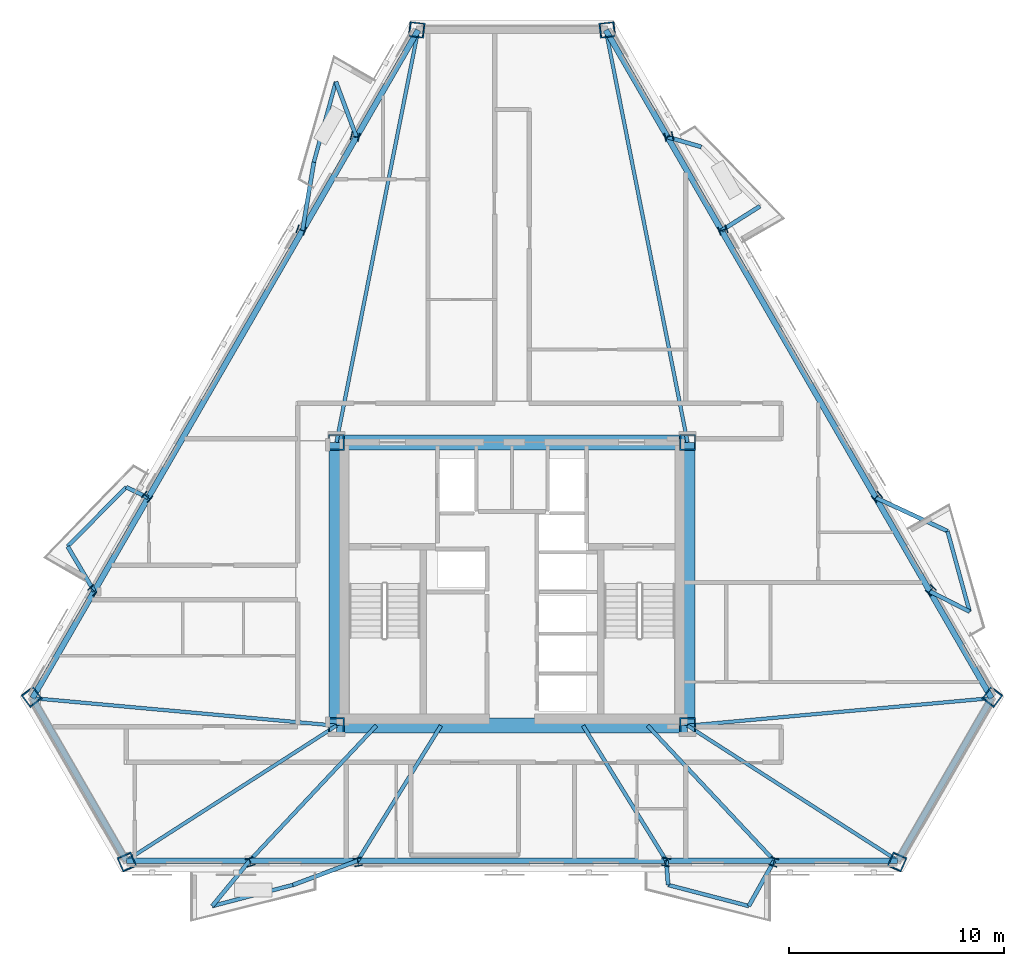
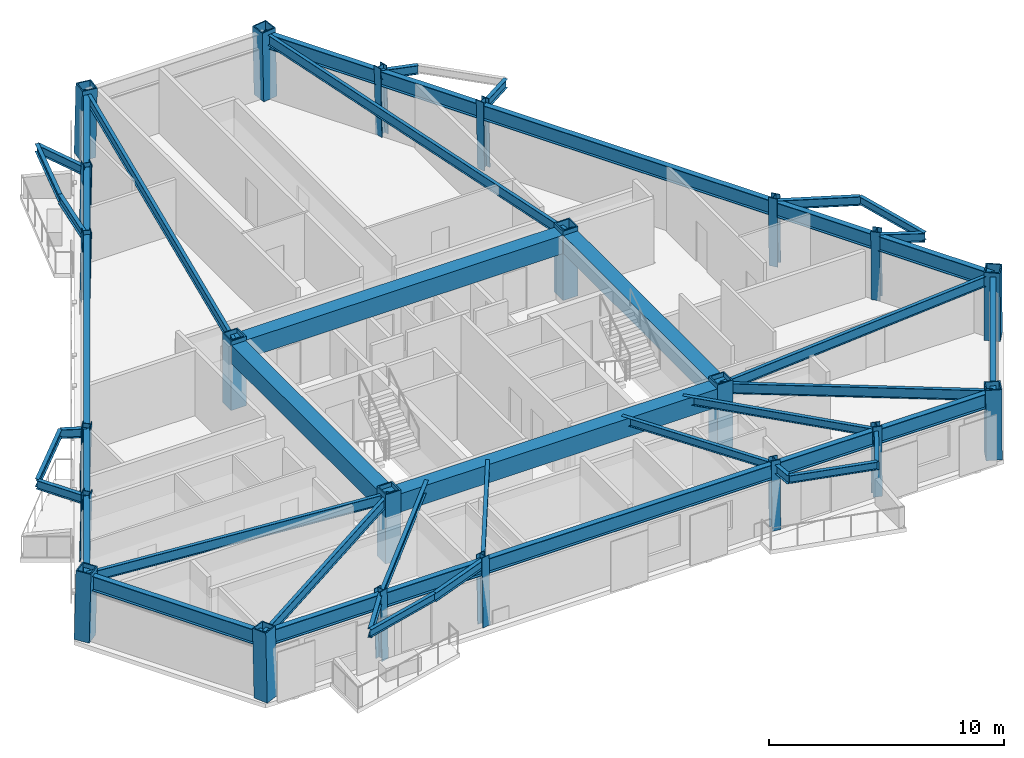
# One storey, part 1 of 9: 48 beams, 22 columns.
"""IFC4 building model written with IfcOpenShell, lengths in metres."""

from ifc_helpers import new_model, si_unit, direction, frame, origin, origin_2d, place, context, subcontext, project, spatial, rectangle, hollow_rectangle, i_section, extrude, material, material_profile, profile_set, type_object, element, save


model = new_model("IFC4")

# Units and contexts
model_context = context("Model", 3, precision=1e-05, world=origin(), true_north=direction((0.0, 1.0)))
body_context = subcontext(model_context, "Body", "Model", "MODEL_VIEW")
ifc_project = project(units=[si_unit("LENGTHUNIT", "METRE"), si_unit("AREAUNIT", "SQUARE_METRE"), si_unit("VOLUMEUNIT", "CUBIC_METRE"), si_unit("PLANEANGLEUNIT", "RADIAN"), si_unit("MASSUNIT", "GRAM", prefix="KILO")], contexts=[model_context])

# Site, building, storey
site_placement = place(None, origin())
site = spatial("IfcSite", under=ifc_project, at=site_placement, CompositionType="ELEMENT")
building_placement = place(site_placement, origin())
building = spatial("IfcBuilding", under=site, at=building_placement, Name="Oramaril Tower", CompositionType="ELEMENT")
storey_placement = place(building_placement, frame((0.0, 0.0, 163.800048828125)))
storey = spatial("IfcBuildingStorey", under=building, at=storey_placement, Name="L43", CompositionType="ELEMENT", Elevation=163.800048828125)

# Columns
ifc_material_1 = material(Name="Steel ASTM A572 Gr 50", Category="steel")
ifc_material_profile_1 = material_profile(ifc_material_1, hollow_rectangle(XDim=0.75, YDim=0.75, WallThickness=0.06005859375, at=origin_2d()), Name="BOX750X750X60")
ifc_profile_set_1 = profile_set([ifc_material_profile_1], Name="Steel ASTM A572 Gr 50")
column_type_1 = type_object("IfcColumnType", Name="CT-CC4", PredefinedType="COLUMN", material=ifc_profile_set_1)
for number, where, z_axis, x_axis, name in (
    (1, (29.35009765625, 11.0, 0.0), (0.0, 0.0, 1.0), (1.0, 0.0, 0.0), "L43 Core Column CC-1"),
    (2, (45.64990234375, 11.0, 0.0), (0.0, 0.0, 1.0), (1.0, 0.0, 0.0), "L43 Core Column CC-2"),
    (3, (45.64990234375, 24.14990234375, 0.0), (0.0, 0.0, 1.0), (1.0, 0.0, 0.0), "L43 Core Column CC-3"),
    (4, (29.35009765625, 24.14990234375, 0.0), (0.0, 0.0, 1.0), (1.0, 0.0, 0.0), "L43 Core Column CC-4"),
):
    element("IfcColumn", number, at=place(storey_placement, frame(where, z_axis=z_axis, x_axis=x_axis)), inside=storey, type_object=column_type_1, Name=name, PredefinedType="COLUMN", context=body_context, shape_type="SweptSolid", body=[
        extrude(hollow_rectangle(XDim=0.75, YDim=0.75, WallThickness=0.06005859375, at=origin_2d()), origin(), (0.0, 0.0, 1.0), 3.599853515625),
    ])
ifc_material_2 = material(Name="Steel ASTM A572 Gr 50", Category="steel")
ifc_material_profile_2 = material_profile(ifc_material_2, hollow_rectangle(XDim=0.699951171875, YDim=0.699951171875, WallThickness=0.054931640625, at=origin_2d()), Name="BOX700X700X55")
ifc_profile_set_2 = profile_set([ifc_material_profile_2], Name="Steel ASTM A572 Gr 50")
column_type_2 = type_object("IfcColumnType", Name="CT-TC4", PredefinedType="COLUMN", material=ifc_profile_set_2)
for number, where, z_axis, x_axis, name in (
    (5, (15.19580078125, 12.343994140625, 0.00439453125), (0.013525666059, -0.018147501697, 0.999743829458), (0.801798186491, 0.59759490304, 0.0), "L43 Tube Column TC-01"),
    (6, (19.631103515625, 4.662109375, 0.00439453125), (-0.009039770438, 0.020730300629, 0.999744235885), (-0.916639500994, -0.399714929941, 0.0), "L43 Tube Column TC-02"),
    (7, (55.368896484375, 4.662109375, 0.00439453125), (0.009039770438, 0.020730300629, 0.999744235885), (-0.916639500994, 0.399714929941, 0.0), "L43 Tube Column TC-03"),
    (8, (59.80419921875, 12.343994140625, 0.00439453125), (-0.013525666059, -0.018147501697, 0.999743829458), (0.801798186491, -0.59759490304, 0.0), "L43 Tube Column TC-04"),
    (9, (41.935302734375, 43.2939453125, 0.00439453125), (-0.022497458675, -0.002582789818, 0.999743563895), (0.11405447402, -0.993474497386, 0.0), "L43 Tube Column TC-05"),
    (10, (33.064697265625, 43.2939453125, 0.00439453125), (0.022497458675, -0.002582789818, 0.999743563895), (0.11405447402, 0.993474497386, 0.0), "L43 Tube Column TC-06"),
):
    element("IfcColumn", number, at=place(storey_placement, frame(where, z_axis=z_axis, x_axis=x_axis)), inside=storey, type_object=column_type_2, Name=name, PredefinedType="COLUMN", context=body_context, shape_type="SweptSolid", body=[
        extrude(hollow_rectangle(XDim=0.699951171875, YDim=0.699951171875, WallThickness=0.054931640625, at=origin_2d()), origin(), (0.0, 0.0, 1.0), 3.592041015625),
    ])
ifc_material_3 = material(Name="Steel ASTM A572 Gr 50", Category="steel")
ifc_material_profile_3 = material_profile(ifc_material_3, i_section(OverallWidth=0.39892578125, OverallDepth=0.385986328125, WebThickness=0.02099609375, FlangeThickness=0.033203125, at=origin_2d()), Name="W14X176")
ifc_profile_set_3 = profile_set([ifc_material_profile_3], Name="Steel ASTM A572 Gr 50")
column_type_3 = type_object("IfcColumnType", Name="CT-TF4", PredefinedType="COLUMN", material=ifc_profile_set_3)
for number, where, z_axis, x_axis, name in (
    (11, (25.34912109375, 4.662109375, 0.00439453125), (-0.006117273384, 0.0207307598, 0.999766379993), (-0.959114754596, -0.283017468569, 0.0), "L43 Tube Column TC-07"),
    (12, (30.352294921875, 4.662109375, 0.00439453125), (-0.003534468677, 0.020731018202, 0.999778841752), (-0.985775631718, -0.16806666508, 0.0), "L43 Tube Column TC-08"),
    (13, (44.647705078125, 4.662109375, 0.00439453125), (0.003534468677, 0.020731018202, 0.999778841752), (-0.985775631718, 0.16806666508, 0.0), "L43 Tube Column TC-09"),
    (14, (49.65087890625, 4.662109375, 0.00439453125), (0.006117273384, 0.0207307598, 0.999766379993), (-0.959114754596, 0.283017468569, 0.0), "L43 Tube Column TC-10"),
    (15, (56.9453125, 17.2958984375, 0.00439453125), (-0.014953328893, -0.015633025661, 0.999765975848), (0.722641857148, -0.691222645967, 0.0), "L43 Tube Column TC-11"),
    (16, (54.443603515625, 21.62890625, 0.00439453125), (-0.016244939439, -0.013458150665, 0.999777465301), (0.637963278788, -0.770066786012, 0.0), "L43 Tube Column TC-12"),
    (17, (47.2958984375, 34.009033203125, 0.00439453125), (-0.019779412159, -0.007272842272, 0.999777915649), (0.345107427602, -0.938563190954, 0.0), "L43 Tube Column TC-13"),
    (18, (44.794189453125, 38.342041015625, 0.00439453125), (-0.021070579118, -0.005097720754, 0.999764994356), (0.235151316301, -0.971958774044, 0.0), "L43 Tube Column TC-14"),
    (19, (30.205810546875, 38.342041015625, 0.00439453125), (0.021070579118, -0.005097720754, 0.999764994356), (0.235151316301, 0.971958774044, 0.0), "L43 Tube Column TC-15"),
    (20, (27.7041015625, 34.009033203125, 0.00439453125), (0.019779412159, -0.007272842272, 0.999777915649), (0.345107427602, 0.938563190954, 0.0), "L43 Tube Column TC-16"),
    (21, (20.556396484375, 21.62890625, 0.00439453125), (0.016244939439, -0.013458150665, 0.999777465301), (0.637963278788, 0.770066786012, 0.0), "L43 Tube Column TC-17"),
    (22, (18.0546875, 17.2958984375, 0.00439453125), (0.014953328893, -0.015633025661, 0.999765975848), (0.722641857148, 0.691222645967, 0.0), "L43 Tube Column TC-18"),
):
    element("IfcColumn", number, at=place(storey_placement, frame(where, z_axis=z_axis, x_axis=x_axis)), inside=storey, type_object=column_type_3, Name=name, PredefinedType="COLUMN", context=body_context, shape_type="SweptSolid", body=[
        extrude(i_section(OverallWidth=0.39892578125, OverallDepth=0.385986328125, WebThickness=0.02099609375, FlangeThickness=0.033203125, at=origin_2d()), origin(), (0.0, 0.0, 1.0), 3.591796875),
    ])

# Beams
ifc_material_4 = material(Name="Steel ASTM A572 Gr 50", Category="steel")
ifc_material_profile_4 = material_profile(ifc_material_4, i_section(OverallWidth=0.19091796875, OverallDepth=0.45703125, WebThickness=0.009033203125, FlangeThickness=0.014404296875, at=origin_2d()), Name="W18X50")
ifc_profile_set_4 = profile_set([ifc_material_profile_4], Name="Steel ASTM A572 Gr 50")
beam_type_1 = type_object("IfcBeamType", Name="BT-BB1", PredefinedType="BEAM", material=ifc_profile_set_4)
beam_1_placement = place(storey_placement, frame((25.3271484375, 4.736572265625, 3.1513671875), z_axis=(-0.636805287211, -0.771024659904, 0.0), x_axis=(0.771024659904, -0.636805287211, 0.0)))
element("IfcBeam", 23, at=beam_1_placement, inside=storey, type_object=beam_type_1, Name="L43 Balcony Column-Framed Cantilever 01.1", PredefinedType="BEAM", context=body_context, shape_type="SweptSolid", body=[
    extrude(i_section(OverallWidth=0.19091796875, OverallDepth=0.45703125, WebThickness=0.009033203125, FlangeThickness=0.014404296875, at=origin_2d()), origin(), (0.0, 0.0, 1.0), 2.73388671875),
])
beam_2_placement = place(storey_placement, frame((30.339599609375, 4.736572265625, 3.1513671875), z_axis=(-0.936394718276, -0.35094861673, 0.0), x_axis=(0.35094861673, -0.936394718276, 0.0)))
element("IfcBeam", 24, at=beam_2_placement, inside=storey, type_object=beam_type_1, Name="L43 Balcony Column-Framed Cantilever 01.2", PredefinedType="BEAM", context=body_context, shape_type="SweptSolid", body=[
    extrude(i_section(OverallWidth=0.19091796875, OverallDepth=0.45703125, WebThickness=0.009033203125, FlangeThickness=0.014404296875, at=origin_2d()), origin(), (0.0, 0.0, 1.0), 3.2138671875),
])
beam_3_placement = place(storey_placement, frame((44.660400390625, 4.736572265625, 3.1513671875), z_axis=(0.074682628605, -0.997207353054, 0.0), x_axis=(0.997207353054, 0.074682628605, 0.0)))
element("IfcBeam", 25, at=beam_3_placement, inside=storey, type_object=beam_type_1, Name="L43 Balcony Column-Framed Cantilever 02.1", PredefinedType="BEAM", context=body_context, shape_type="SweptSolid", body=[
    extrude(i_section(OverallWidth=0.19091796875, OverallDepth=0.45703125, WebThickness=0.009033203125, FlangeThickness=0.014404296875, at=origin_2d()), origin(), (0.0, 0.0, 1.0), 1.131103515625),
])
beam_4_placement = place(storey_placement, frame((49.6728515625, 4.736572265625, 3.1513671875), z_axis=(-0.48967619542, -0.871904366108, 0.0), x_axis=(0.871904366108, -0.48967619542, 0.0)))
element("IfcBeam", 26, at=beam_4_placement, inside=storey, type_object=beam_type_1, Name="L43 Balcony Column-Framed Cantilever 02.2", PredefinedType="BEAM", context=body_context, shape_type="SweptSolid", body=[
    extrude(i_section(OverallWidth=0.19091796875, OverallDepth=0.45703125, WebThickness=0.009033203125, FlangeThickness=0.014404296875, at=origin_2d()), origin(), (0.0, 0.0, 1.0), 2.41748046875),
])
beam_5_placement = place(storey_placement, frame((56.8916015625, 17.23974609375, 3.1513671875), z_axis=(0.890509915489, -0.454963834185, 0.0), x_axis=(0.454963834185, 0.890509915489, 0.0)))
element("IfcBeam", 27, at=beam_5_placement, inside=storey, type_object=beam_type_1, Name="L43 Balcony Column-Framed Cantilever 03.1", PredefinedType="BEAM", context=body_context, shape_type="SweptSolid", body=[
    extrude(i_section(OverallWidth=0.19091796875, OverallDepth=0.45703125, WebThickness=0.009033203125, FlangeThickness=0.014404296875, at=origin_2d()), origin(), (0.0, 0.0, 1.0), 2.074462890625),
])
beam_6_placement = place(storey_placement, frame((54.38525390625, 21.58056640625, 3.1513671875), z_axis=(0.90638164874, -0.422459828655, 0.0), x_axis=(0.422459828655, 0.90638164874, 0.0)))
element("IfcBeam", 28, at=beam_6_placement, inside=storey, type_object=beam_type_1, Name="L43 Balcony Column-Framed Cantilever 03.2", PredefinedType="BEAM", context=body_context, shape_type="SweptSolid", body=[
    extrude(i_section(OverallWidth=0.19091796875, OverallDepth=0.45703125, WebThickness=0.009033203125, FlangeThickness=0.014404296875, at=origin_2d()), origin(), (0.0, 0.0, 1.0), 3.67431640625),
])
beam_7_placement = place(storey_placement, frame((47.224853515625, 33.98291015625, 3.1513671875), z_axis=(0.845367886147, 0.534184553382, 0.0), x_axis=(-0.534184553382, 0.845367886147, 0.0)))
element("IfcBeam", 29, at=beam_7_placement, inside=storey, type_object=beam_type_1, Name="L43 Balcony Column-Framed Cantilever 04.1", PredefinedType="BEAM", context=body_context, shape_type="SweptSolid", body=[
    extrude(i_section(OverallWidth=0.19091796875, OverallDepth=0.45703125, WebThickness=0.009033203125, FlangeThickness=0.014404296875, at=origin_2d()), origin(), (0.0, 0.0, 1.0), 2.109619140625),
])
beam_8_placement = place(storey_placement, frame((44.718505859375, 38.32373046875, 3.1513671875), z_axis=(0.959377385511, -0.282125915453, 0.0), x_axis=(0.282125915453, 0.959377385511, 0.0)))
element("IfcBeam", 30, at=beam_8_placement, inside=storey, type_object=beam_type_1, Name="L43 Balcony Column-Framed Cantilever 04.2", PredefinedType="BEAM", context=body_context, shape_type="SweptSolid", body=[
    extrude(i_section(OverallWidth=0.19091796875, OverallDepth=0.45703125, WebThickness=0.009033203125, FlangeThickness=0.014404296875, at=origin_2d()), origin(), (0.0, 0.0, 1.0), 1.635498046875),
])
beam_9_placement = place(storey_placement, frame((30.281494140625, 38.32373046875, 3.1513671875), z_axis=(-0.349331955652, 0.936999031355, 0.0), x_axis=(-0.936999031355, -0.349331955652, 0.0)))
element("IfcBeam", 31, at=beam_9_placement, inside=storey, type_object=beam_type_1, Name="L43 Balcony Column-Framed Cantilever 05.1", PredefinedType="BEAM", context=body_context, shape_type="SweptSolid", body=[
    extrude(i_section(OverallWidth=0.19091796875, OverallDepth=0.45703125, WebThickness=0.009033203125, FlangeThickness=0.014404296875, at=origin_2d()), origin(), (0.0, 0.0, 1.0), 2.734130859375),
])
beam_10_placement = place(storey_placement, frame((27.775146484375, 33.98291015625, 3.1513671875), z_axis=(0.164238840259, 0.986420601645, 0.0), x_axis=(-0.986420601645, 0.164238840259, 0.0)))
element("IfcBeam", 32, at=beam_10_placement, inside=storey, type_object=beam_type_1, Name="L43 Balcony Column-Framed Cantilever 05.2", PredefinedType="BEAM", context=body_context, shape_type="SweptSolid", body=[
    extrude(i_section(OverallWidth=0.19091796875, OverallDepth=0.45703125, WebThickness=0.009033203125, FlangeThickness=0.014404296875, at=origin_2d()), origin(), (0.0, 0.0, 1.0), 3.2138671875),
])
beam_11_placement = place(storey_placement, frame((20.61474609375, 21.58056640625, 3.1513671875), z_axis=(-0.900892281891, 0.434042735717, 0.0), x_axis=(-0.434042735717, -0.900892281891, 0.0)))
element("IfcBeam", 33, at=beam_11_placement, inside=storey, type_object=beam_type_1, Name="L43 Balcony Column-Framed Cantilever 06.1", PredefinedType="BEAM", context=body_context, shape_type="SweptSolid", body=[
    extrude(i_section(OverallWidth=0.19091796875, OverallDepth=0.45703125, WebThickness=0.009033203125, FlangeThickness=0.014404296875, at=origin_2d()), origin(), (0.0, 0.0, 1.0), 1.131103515625),
])
beam_12_placement = place(storey_placement, frame((18.1083984375, 17.23974609375, 3.1513671875), z_axis=(-0.510167729651, 0.8600749314, 0.0), x_axis=(-0.8600749314, -0.510167729651, 0.0)))
element("IfcBeam", 34, at=beam_12_placement, inside=storey, type_object=beam_type_1, Name="L43 Balcony Column-Framed Cantilever 06.2", PredefinedType="BEAM", context=body_context, shape_type="SweptSolid", body=[
    extrude(i_section(OverallWidth=0.19091796875, OverallDepth=0.45703125, WebThickness=0.009033203125, FlangeThickness=0.014404296875, at=origin_2d()), origin(), (0.0, 0.0, 1.0), 2.417724609375),
])
ifc_material_5 = material(Name="Concrete C50/60", Category="concrete")
ifc_material_profile_5 = material_profile(ifc_material_5, rectangle(XDim=0.699951171875, YDim=0.949951171875, at=origin_2d()), Name="CB700X950")
ifc_profile_set_5 = profile_set([ifc_material_profile_5], Name="Concrete C50/60")
beam_type_2 = type_object("IfcBeamType", Name="BT-CB1", PredefinedType="BEAM", material=ifc_profile_set_5)
beam_13_placement = place(storey_placement, frame((29.35009765625, 11.0, 2.905029296875), z_axis=(1.0, 0.0, 0.0), x_axis=(0.0, 1.0, 0.0)))
element("IfcBeam", 35, at=beam_13_placement, inside=storey, type_object=beam_type_2, Name="L43 Core Header Beam CB-1", PredefinedType="BEAM", context=body_context, shape_type="SweptSolid", body=[
    extrude(rectangle(XDim=0.699951171875, YDim=0.949951171875, at=origin_2d()), origin(), (0.0, 0.0, 1.0), 16.2998046875),
])
beam_14_placement = place(storey_placement, frame((45.64990234375, 11.0, 2.905029296875), z_axis=(0.0, 1.0, 0.0), x_axis=(-1.0, 0.0, 0.0)))
element("IfcBeam", 36, at=beam_14_placement, inside=storey, type_object=beam_type_2, Name="L43 Core Header Beam CB-2", PredefinedType="BEAM", context=body_context, shape_type="SweptSolid", body=[
    extrude(rectangle(XDim=0.699951171875, YDim=0.949951171875, at=origin_2d()), origin(), (0.0, 0.0, 1.0), 13.14990234375),
])
beam_15_placement = place(storey_placement, frame((45.64990234375, 24.14990234375, 2.905029296875), z_axis=(-1.0, 0.0, 0.0), x_axis=(0.0, -1.0, 0.0)))
element("IfcBeam", 37, at=beam_15_placement, inside=storey, type_object=beam_type_2, Name="L43 Core Header Beam CB-3", PredefinedType="BEAM", context=body_context, shape_type="SweptSolid", body=[
    extrude(rectangle(XDim=0.699951171875, YDim=0.949951171875, at=origin_2d()), origin(), (0.0, 0.0, 1.0), 16.2998046875),
])
beam_16_placement = place(storey_placement, frame((29.35009765625, 24.14990234375, 2.905029296875), z_axis=(0.0, -1.0, 0.0), x_axis=(1.0, 0.0, 0.0)))
element("IfcBeam", 38, at=beam_16_placement, inside=storey, type_object=beam_type_2, Name="L43 Core Header Beam CB-4", PredefinedType="BEAM", context=body_context, shape_type="SweptSolid", body=[
    extrude(rectangle(XDim=0.699951171875, YDim=0.949951171875, at=origin_2d()), origin(), (0.0, 0.0, 1.0), 13.14990234375),
])
ifc_material_6 = material(Name="Steel ASTM A572 Gr 50", Category="steel")
ifc_material_profile_6 = material_profile(ifc_material_6, i_section(OverallWidth=0.166015625, OverallDepth=0.528076171875, WebThickness=0.009765625, FlangeThickness=0.013671875, at=origin_2d()), Name="W21X50")
ifc_profile_set_6 = profile_set([ifc_material_profile_6], Name="Steel ASTM A572 Gr 50")
beam_type_3 = type_object("IfcBeamType", Name="BT-FB3", PredefinedType="BEAM", material=ifc_profile_set_6)
beam_17_placement = place(storey_placement, frame((29.35009765625, 11.0, 3.115966796875), z_axis=(-0.995915640728, 0.090288629145, 0.0), x_axis=(-0.090288629145, -0.995915640728, 0.0)))
element("IfcBeam", 39, at=beam_17_placement, inside=storey, type_object=beam_type_3, Name="L43 Radial Primary Beam RB-01", PredefinedType="BEAM", context=body_context, shape_type="SweptSolid", body=[
    extrude(i_section(OverallWidth=0.166015625, OverallDepth=0.528076171875, WebThickness=0.009765625, FlangeThickness=0.013671875, at=origin_2d()), origin(), (0.0, 0.0, 1.0), 14.16357421875),
])
for number, where, z_axis, x_axis, name in (
    (40, (29.35009765625, 11.0, 3.115966796875), (-0.841389216306, -0.540429631574, 0.0), (0.540429631574, -0.841389216306, 0.0), "L43 Radial Primary Beam RB-02"),
    (41, (45.64990234375, 11.0, 3.115966796875), (0.841389216306, -0.540429631574, 0.0), (0.540429631574, 0.841389216306, 0.0), "L43 Radial Primary Beam RB-03"),
):
    element("IfcBeam", number, at=place(storey_placement, frame(where, z_axis=z_axis, x_axis=x_axis)), inside=storey, type_object=beam_type_3, Name=name, PredefinedType="BEAM", context=body_context, shape_type="SweptSolid", body=[
        extrude(i_section(OverallWidth=0.166015625, OverallDepth=0.528076171875, WebThickness=0.009765625, FlangeThickness=0.013671875, at=origin_2d()), origin(), (0.0, 0.0, 1.0), 11.589599609375),
    ])
beam_18_placement = place(storey_placement, frame((45.64990234375, 11.0, 3.115966796875), z_axis=(0.995915640728, 0.090288629145, 0.0), x_axis=(-0.090288629145, 0.995915640728, 0.0)))
element("IfcBeam", 42, at=beam_18_placement, inside=storey, type_object=beam_type_3, Name="L43 Radial Primary Beam RB-04", PredefinedType="BEAM", context=body_context, shape_type="SweptSolid", body=[
    extrude(i_section(OverallWidth=0.166015625, OverallDepth=0.528076171875, WebThickness=0.009765625, FlangeThickness=0.013671875, at=origin_2d()), origin(), (0.0, 0.0, 1.0), 14.16357421875),
])
for number, where, z_axis, x_axis, name in (
    (43, (45.64990234375, 24.14990234375, 3.115966796875), (-0.194561117151, 0.980890397391, 0.0), (-0.980890397391, -0.194561117151, 0.0), "L43 Radial Primary Beam RB-05"),
    (44, (29.35009765625, 24.14990234375, 3.115966796875), (0.194561117151, 0.980890397391, 0.0), (-0.980890397391, 0.194561117151, 0.0), "L43 Radial Primary Beam RB-06"),
):
    element("IfcBeam", number, at=place(storey_placement, frame(where, z_axis=z_axis, x_axis=x_axis)), inside=storey, type_object=beam_type_3, Name=name, PredefinedType="BEAM", context=body_context, shape_type="SweptSolid", body=[
        extrude(i_section(OverallWidth=0.166015625, OverallDepth=0.528076171875, WebThickness=0.009765625, FlangeThickness=0.013671875, at=origin_2d()), origin(), (0.0, 0.0, 1.0), 19.507568359375),
    ])
ifc_material_7 = material(Name="Steel ASTM A572 Gr 50", Category="steel")
ifc_material_profile_7 = material_profile(ifc_material_7, i_section(OverallWidth=0.177978515625, OverallDepth=0.404052734375, WebThickness=0.007568359375, FlangeThickness=0.010986328125, at=origin_2d()), Name="W16X36")
ifc_profile_set_7 = profile_set([ifc_material_profile_7], Name="Steel ASTM A572 Gr 50")
beam_type_4 = type_object("IfcBeamType", Name="BT-SB1", PredefinedType="BEAM", material=ifc_profile_set_7)
beam_19_placement = place(storey_placement, frame((31.199951171875, 11.0, 3.177978515625), z_axis=(-0.683993148776, -0.729488432004, 0.0), x_axis=(0.729488432004, -0.683993148776, 0.0)))
element("IfcBeam", 45, at=beam_19_placement, inside=storey, type_object=beam_type_4, Name="L43 Secondary Floor Beam SB-01", PredefinedType="BEAM", context=body_context, shape_type="SweptSolid", body=[
    extrude(i_section(OverallWidth=0.177978515625, OverallDepth=0.404052734375, WebThickness=0.007568359375, FlangeThickness=0.010986328125, at=origin_2d()), origin(), (0.0, 0.0, 1.0), 8.5859375),
])
for number, where, z_axis, x_axis, name in (
    (46, (34.199951171875, 11.0, 3.177978515625), (-0.524682340114, -0.851298092311, 0.0), (0.851298092311, -0.524682340114, 0.0), "L43 Secondary Floor Beam SB-02"),
    (47, (40.800048828125, 11.0, 3.177978515625), (0.524682340114, -0.851298092311, 0.0), (0.851298092311, 0.524682340114, 0.0), "L43 Secondary Floor Beam SB-03"),
):
    element("IfcBeam", number, at=place(storey_placement, frame(where, z_axis=z_axis, x_axis=x_axis)), inside=storey, type_object=beam_type_4, Name=name, PredefinedType="BEAM", context=body_context, shape_type="SweptSolid", body=[
        extrude(i_section(OverallWidth=0.177978515625, OverallDepth=0.404052734375, WebThickness=0.007568359375, FlangeThickness=0.010986328125, at=origin_2d()), origin(), (0.0, 0.0, 1.0), 7.357421875),
    ])
beam_20_placement = place(storey_placement, frame((43.800048828125, 11.0, 3.177978515625), z_axis=(0.683993148776, -0.729488432004, 0.0), x_axis=(0.729488432004, 0.683993148776, 0.0)))
element("IfcBeam", 48, at=beam_20_placement, inside=storey, type_object=beam_type_4, Name="L43 Secondary Floor Beam SB-04", PredefinedType="BEAM", context=body_context, shape_type="SweptSolid", body=[
    extrude(i_section(OverallWidth=0.177978515625, OverallDepth=0.404052734375, WebThickness=0.007568359375, FlangeThickness=0.010986328125, at=origin_2d()), origin(), (0.0, 0.0, 1.0), 8.5859375),
])
beam_21_placement = place(storey_placement, frame((23.586181640625, 2.628662109375, 3.177978515625), z_axis=(0.967407922874, 0.253223045479, 0.0), x_axis=(-0.253223045479, 0.967407922874, 0.0)))
element("IfcBeam", 49, at=beam_21_placement, inside=storey, type_object=beam_type_4, Name="L43 Balcony Edge Tie Beam 01", PredefinedType="BEAM", context=body_context, shape_type="SweptSolid", body=[
    extrude(i_section(OverallWidth=0.177978515625, OverallDepth=0.404052734375, WebThickness=0.007568359375, FlangeThickness=0.010986328125, at=origin_2d()), origin(), (0.0, 0.0, 1.0), 3.8701171875),
])
beam_22_placement = place(storey_placement, frame((44.744873046875, 3.608642578125, 3.177978515625), z_axis=(0.967411967632, -0.253207592467, 0.0), x_axis=(0.253207592467, 0.967411967632, 0.0)))
element("IfcBeam", 50, at=beam_22_placement, inside=storey, type_object=beam_type_4, Name="L43 Balcony Edge Tie Beam 02", PredefinedType="BEAM", context=body_context, shape_type="SweptSolid", body=[
    extrude(i_section(OverallWidth=0.177978515625, OverallDepth=0.404052734375, WebThickness=0.007568359375, FlangeThickness=0.010986328125, at=origin_2d()), origin(), (0.0, 0.0, 1.0), 3.870361328125),
])
for number, where, z_axis, x_axis, name in (
    (51, (58.739013671875, 16.2958984375, 3.177978515625), (-0.264440915482, 0.964401888332, 0.0), (-0.964401888332, -0.264440915482, 0.0), "L43 Balcony Edge Tie Beam 03"),
    (52, (29.326416015625, 40.885498046875, 3.177978515625), (-0.264440915482, -0.964401888332, 0.0), (0.964401888332, -0.264440915482, 0.0), "L43 Balcony Edge Tie Beam 05"),
    (53, (19.595703125, 22.071533203125, 3.177978515625), (-0.702994511648, -0.71119527318, 0.0), (0.71119527318, -0.702994511648, 0.0), "L43 Balcony Edge Tie Beam 06"),
):
    element("IfcBeam", number, at=place(storey_placement, frame(where, z_axis=z_axis, x_axis=x_axis)), inside=storey, type_object=beam_type_4, Name=name, PredefinedType="BEAM", context=body_context, shape_type="SweptSolid", body=[
        extrude(i_section(OverallWidth=0.177978515625, OverallDepth=0.404052734375, WebThickness=0.007568359375, FlangeThickness=0.010986328125, at=origin_2d()), origin(), (0.0, 0.0, 1.0), 3.8701171875),
    ])
ifc_material_8 = material(Name="Steel ASTM A572 Gr 50", Category="steel")
ifc_material_profile_8 = material_profile(ifc_material_8, i_section(OverallWidth=0.26708984375, OverallDepth=0.77001953125, WebThickness=0.015625, FlangeThickness=0.025390625, at=origin_2d()), Name="W30X132")
ifc_profile_set_8 = profile_set([ifc_material_profile_8], Name="Steel ASTM A572 Gr 50")
beam_type_5 = type_object("IfcBeamType", Name="BT-SP3", PredefinedType="SPANDREL", material=ifc_profile_set_8)
beam_23_placement = place(storey_placement, frame((15.244384765625, 12.27880859375, 2.994873046875), z_axis=(0.499977253468, -0.866038536102, 0.0), x_axis=(0.866038536102, 0.499977253468, 0.0)))
element("IfcBeam", 54, at=beam_23_placement, inside=storey, type_object=beam_type_5, Name="L43 Perimeter Spandrel 01", PredefinedType="SPANDREL", context=body_context, shape_type="SweptSolid", body=[
    extrude(i_section(OverallWidth=0.26708984375, OverallDepth=0.77001953125, WebThickness=0.015625, FlangeThickness=0.025390625, at=origin_2d()), origin(), (0.0, 0.0, 1.0), 8.708984375),
])
beam_24_placement = place(storey_placement, frame((19.5986328125, 4.736572265625, 2.994873046875), z_axis=(1.0, 0.0, 0.0), x_axis=(0.0, 1.0, 0.0)))
element("IfcBeam", 55, at=beam_24_placement, inside=storey, type_object=beam_type_5, Name="L43 Perimeter Spandrel 02", PredefinedType="SPANDREL", context=body_context, shape_type="SweptSolid", body=[
    extrude(i_section(OverallWidth=0.26708984375, OverallDepth=0.77001953125, WebThickness=0.015625, FlangeThickness=0.025390625, at=origin_2d()), origin(), (0.0, 0.0, 1.0), 5.728515625),
])
beam_25_placement = place(storey_placement, frame((25.3271484375, 4.736572265625, 2.994873046875), z_axis=(1.0, 0.0, 0.0), x_axis=(0.0, 1.0, 0.0)))
element("IfcBeam", 56, at=beam_25_placement, inside=storey, type_object=beam_type_5, Name="L43 Perimeter Spandrel 03", PredefinedType="SPANDREL", context=body_context, shape_type="SweptSolid", body=[
    extrude(i_section(OverallWidth=0.26708984375, OverallDepth=0.77001953125, WebThickness=0.015625, FlangeThickness=0.025390625, at=origin_2d()), origin(), (0.0, 0.0, 1.0), 5.012451171875),
])
beam_26_placement = place(storey_placement, frame((30.339599609375, 4.736572265625, 2.994873046875), z_axis=(1.0, 0.0, 0.0), x_axis=(0.0, 1.0, 0.0)))
element("IfcBeam", 57, at=beam_26_placement, inside=storey, type_object=beam_type_5, Name="L43 Perimeter Spandrel 04", PredefinedType="SPANDREL", context=body_context, shape_type="SweptSolid", body=[
    extrude(i_section(OverallWidth=0.26708984375, OverallDepth=0.77001953125, WebThickness=0.015625, FlangeThickness=0.025390625, at=origin_2d()), origin(), (0.0, 0.0, 1.0), 14.32080078125),
])
beam_27_placement = place(storey_placement, frame((44.660400390625, 4.736572265625, 2.994873046875), z_axis=(1.0, 0.0, 0.0), x_axis=(0.0, 1.0, 0.0)))
element("IfcBeam", 58, at=beam_27_placement, inside=storey, type_object=beam_type_5, Name="L43 Perimeter Spandrel 05", PredefinedType="SPANDREL", context=body_context, shape_type="SweptSolid", body=[
    extrude(i_section(OverallWidth=0.26708984375, OverallDepth=0.77001953125, WebThickness=0.015625, FlangeThickness=0.025390625, at=origin_2d()), origin(), (0.0, 0.0, 1.0), 5.012451171875),
])
beam_28_placement = place(storey_placement, frame((49.6728515625, 4.736572265625, 2.994873046875), z_axis=(1.0, 0.0, 0.0), x_axis=(0.0, 1.0, 0.0)))
element("IfcBeam", 59, at=beam_28_placement, inside=storey, type_object=beam_type_5, Name="L43 Perimeter Spandrel 06", PredefinedType="SPANDREL", context=body_context, shape_type="SweptSolid", body=[
    extrude(i_section(OverallWidth=0.26708984375, OverallDepth=0.77001953125, WebThickness=0.015625, FlangeThickness=0.025390625, at=origin_2d()), origin(), (0.0, 0.0, 1.0), 5.728515625),
])
beam_29_placement = place(storey_placement, frame((55.4013671875, 4.736572265625, 2.994873046875), z_axis=(0.499977253468, 0.866038536102, 0.0), x_axis=(-0.866038536102, 0.499977253468, 0.0)))
element("IfcBeam", 60, at=beam_29_placement, inside=storey, type_object=beam_type_5, Name="L43 Perimeter Spandrel 07", PredefinedType="SPANDREL", context=body_context, shape_type="SweptSolid", body=[
    extrude(i_section(OverallWidth=0.26708984375, OverallDepth=0.77001953125, WebThickness=0.015625, FlangeThickness=0.025390625, at=origin_2d()), origin(), (0.0, 0.0, 1.0), 8.708984375),
])
beam_30_placement = place(storey_placement, frame((59.755615234375, 12.27880859375, 2.994873046875), z_axis=(-0.499975787251, 0.86603938257, 0.0), x_axis=(-0.86603938257, -0.499975787251, 0.0)))
element("IfcBeam", 61, at=beam_30_placement, inside=storey, type_object=beam_type_5, Name="L43 Perimeter Spandrel 08", PredefinedType="SPANDREL", context=body_context, shape_type="SweptSolid", body=[
    extrude(i_section(OverallWidth=0.26708984375, OverallDepth=0.77001953125, WebThickness=0.015625, FlangeThickness=0.025390625, at=origin_2d()), origin(), (0.0, 0.0, 1.0), 5.728271484375),
])
beam_31_placement = place(storey_placement, frame((56.8916015625, 17.23974609375, 2.994873046875), z_axis=(-0.500026017121, 0.866010382272, 0.0), x_axis=(-0.866010382272, -0.500026017121, 0.0)))
element("IfcBeam", 62, at=beam_31_placement, inside=storey, type_object=beam_type_5, Name="L43 Perimeter Spandrel 09", PredefinedType="SPANDREL", context=body_context, shape_type="SweptSolid", body=[
    extrude(i_section(OverallWidth=0.26708984375, OverallDepth=0.77001953125, WebThickness=0.015625, FlangeThickness=0.025390625, at=origin_2d()), origin(), (0.0, 0.0, 1.0), 5.012451171875),
])
beam_32_placement = place(storey_placement, frame((54.38525390625, 21.58056640625, 2.994873046875), z_axis=(-0.499994966524, 0.866028309844, 0.0), x_axis=(-0.866028309844, -0.499994966524, 0.0)))
element("IfcBeam", 63, at=beam_32_placement, inside=storey, type_object=beam_type_5, Name="L43 Perimeter Spandrel 10", PredefinedType="SPANDREL", context=body_context, shape_type="SweptSolid", body=[
    extrude(i_section(OverallWidth=0.26708984375, OverallDepth=0.77001953125, WebThickness=0.015625, FlangeThickness=0.025390625, at=origin_2d()), origin(), (0.0, 0.0, 1.0), 14.321044921875),
])
beam_33_placement = place(storey_placement, frame((47.224853515625, 33.98291015625, 2.994873046875), z_axis=(-0.500026017121, 0.866010382272, 0.0), x_axis=(-0.866010382272, -0.500026017121, 0.0)))
element("IfcBeam", 64, at=beam_33_placement, inside=storey, type_object=beam_type_5, Name="L43 Perimeter Spandrel 11", PredefinedType="SPANDREL", context=body_context, shape_type="SweptSolid", body=[
    extrude(i_section(OverallWidth=0.26708984375, OverallDepth=0.77001953125, WebThickness=0.015625, FlangeThickness=0.025390625, at=origin_2d()), origin(), (0.0, 0.0, 1.0), 5.012451171875),
])
for number, where, z_axis, x_axis, name in (
    (65, (44.718505859375, 38.32373046875, 2.994873046875), (-0.499975787251, 0.86603938257, 0.0), (-0.86603938257, -0.499975787251, 0.0), "L43 Perimeter Spandrel 12"),
    (66, (33.1455078125, 43.28466796875, 2.994873046875), (-0.499975787251, -0.86603938257, 0.0), (0.86603938257, -0.499975787251, 0.0), "L43 Perimeter Spandrel 14"),
):
    element("IfcBeam", number, at=place(storey_placement, frame(where, z_axis=z_axis, x_axis=x_axis)), inside=storey, type_object=beam_type_5, Name=name, PredefinedType="SPANDREL", context=body_context, shape_type="SweptSolid", body=[
        extrude(i_section(OverallWidth=0.26708984375, OverallDepth=0.77001953125, WebThickness=0.015625, FlangeThickness=0.025390625, at=origin_2d()), origin(), (0.0, 0.0, 1.0), 5.728271484375),
    ])
beam_34_placement = place(storey_placement, frame((30.281494140625, 38.32373046875, 2.994873046875), z_axis=(-0.500026017121, -0.866010382272, 0.0), x_axis=(0.866010382272, -0.500026017121, 0.0)))
element("IfcBeam", 67, at=beam_34_placement, inside=storey, type_object=beam_type_5, Name="L43 Perimeter Spandrel 15", PredefinedType="SPANDREL", context=body_context, shape_type="SweptSolid", body=[
    extrude(i_section(OverallWidth=0.26708984375, OverallDepth=0.77001953125, WebThickness=0.015625, FlangeThickness=0.025390625, at=origin_2d()), origin(), (0.0, 0.0, 1.0), 5.012451171875),
])
beam_35_placement = place(storey_placement, frame((27.775146484375, 33.98291015625, 2.994873046875), z_axis=(-0.499994966524, -0.866028309844, 0.0), x_axis=(0.866028309844, -0.499994966524, 0.0)))
element("IfcBeam", 68, at=beam_35_placement, inside=storey, type_object=beam_type_5, Name="L43 Perimeter Spandrel 16", PredefinedType="SPANDREL", context=body_context, shape_type="SweptSolid", body=[
    extrude(i_section(OverallWidth=0.26708984375, OverallDepth=0.77001953125, WebThickness=0.015625, FlangeThickness=0.025390625, at=origin_2d()), origin(), (0.0, 0.0, 1.0), 14.321044921875),
])
beam_36_placement = place(storey_placement, frame((20.61474609375, 21.58056640625, 2.994873046875), z_axis=(-0.500026017121, -0.866010382272, 0.0), x_axis=(0.866010382272, -0.500026017121, 0.0)))
element("IfcBeam", 69, at=beam_36_placement, inside=storey, type_object=beam_type_5, Name="L43 Perimeter Spandrel 17", PredefinedType="SPANDREL", context=body_context, shape_type="SweptSolid", body=[
    extrude(i_section(OverallWidth=0.26708984375, OverallDepth=0.77001953125, WebThickness=0.015625, FlangeThickness=0.025390625, at=origin_2d()), origin(), (0.0, 0.0, 1.0), 5.012451171875),
])
beam_37_placement = place(storey_placement, frame((18.1083984375, 17.23974609375, 2.994873046875), z_axis=(-0.499975787251, -0.86603938257, 0.0), x_axis=(0.86603938257, -0.499975787251, 0.0)))
element("IfcBeam", 70, at=beam_37_placement, inside=storey, type_object=beam_type_5, Name="L43 Perimeter Spandrel 18", PredefinedType="SPANDREL", context=body_context, shape_type="SweptSolid", body=[
    extrude(i_section(OverallWidth=0.26708984375, OverallDepth=0.77001953125, WebThickness=0.015625, FlangeThickness=0.025390625, at=origin_2d()), origin(), (0.0, 0.0, 1.0), 5.728271484375),
])

save(model, "model.ifc")
